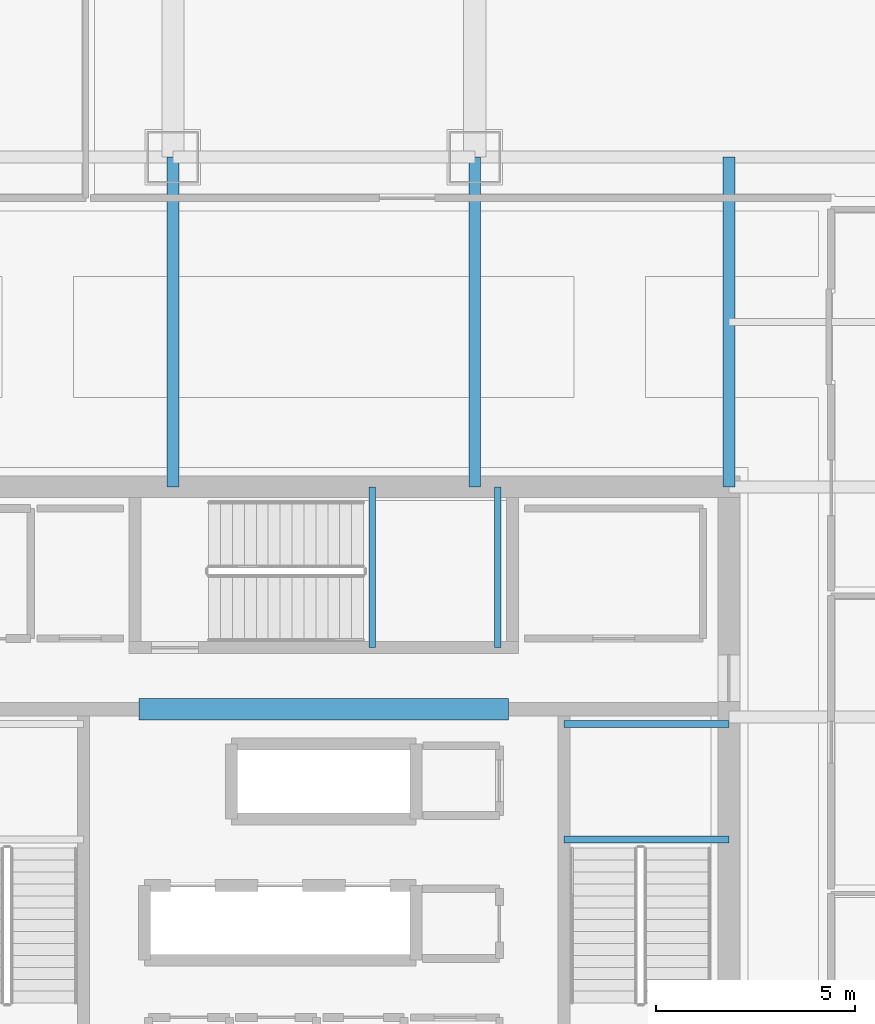
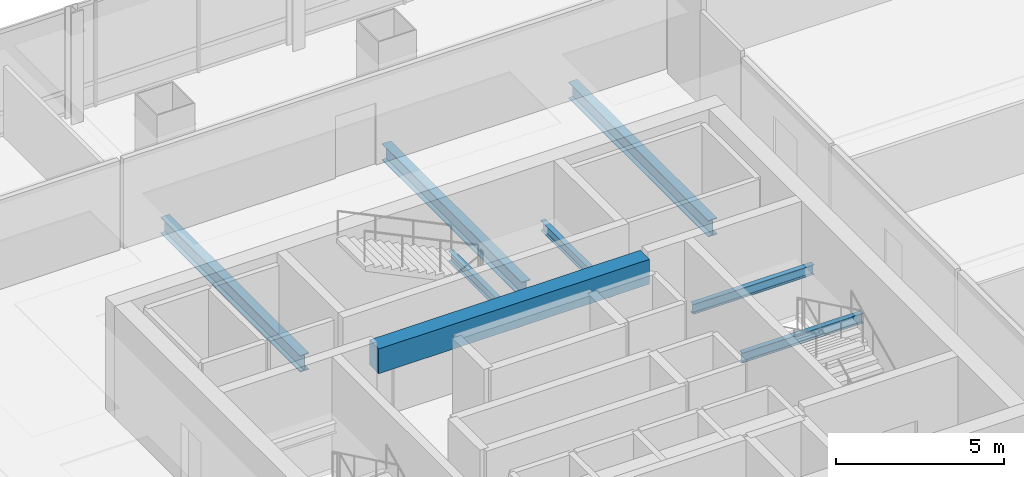
# One storey, part 13 of 42: 8 beams.
"""IFC4 building model written with IfcOpenShell, lengths in metres."""

from ifc_helpers import new_model, si_unit, direction, frame, origin, origin_2d, place, context, subcontext, project, spatial, rectangle, i_section, extrude, material, material_profile, profile_set, type_object, element, save


model = new_model("IFC4")

# Units and contexts
model_context = context("Model", 3, precision=1e-05, world=origin(), true_north=direction((0.0, 1.0)))
body_context = subcontext(model_context, "Body", "Model", "MODEL_VIEW")
ifc_project = project(units=[si_unit("LENGTHUNIT", "METRE"), si_unit("AREAUNIT", "SQUARE_METRE"), si_unit("VOLUMEUNIT", "CUBIC_METRE"), si_unit("PLANEANGLEUNIT", "RADIAN"), si_unit("MASSUNIT", "GRAM", prefix="KILO")], contexts=[model_context])

# Site, building, storey
site_placement = place(None, origin())
site = spatial("IfcSite", under=ifc_project, at=site_placement, CompositionType="ELEMENT")
building_placement = place(site_placement, origin())
building = spatial("IfcBuilding", under=site, at=building_placement, Name="Punatoya Terracotta Tower", CompositionType="ELEMENT")
storey_placement = place(building_placement, frame((0.0, 0.0, 255.449951171875)))
storey = spatial("IfcBuildingStorey", under=building, at=storey_placement, Name="L60", CompositionType="ELEMENT", Elevation=255.449951171875)

# Beams
ifc_material_1 = material(Name="Steel S355", Category="steel")
ifc_material_profile_1 = material_profile(ifc_material_1, i_section(OverallWidth=0.300048828125, OverallDepth=0.60009765625, WebThickness=0.015380859375, FlangeThickness=0.030029296875, FilletRadius=0.01806640625, at=origin_2d()))
ifc_profile_set_1 = profile_set([ifc_material_profile_1], Name="Steel S355")
beam_type_1 = type_object("IfcBeamType", Name="BM-PRI-600", PredefinedType="BEAM", material=ifc_profile_set_1)
for number, where, z_axis, x_axis, name in (
    (1, (-3.800048828125, 9.199951171875, -0.5), (0.0, 1.0, 0.0), (-1.0, 0.0, 0.0), "BM-L60-PR-N2"),
    (2, (3.800048828125, 9.199951171875, -0.5), (0.0, 1.0, 0.0), (-1.0, 0.0, 0.0), "BM-L60-PR-N3"),
    (3, (10.199951171875, 9.199951171875, -0.5), (0.0, 1.0, 0.0), (-1.0, 0.0, 0.0), "BM-L60-PR-N4"),
):
    element("IfcBeam", number, at=place(storey_placement, frame(where, z_axis=z_axis, x_axis=x_axis)), inside=storey, type_object=beam_type_1, Name=name, PredefinedType="BEAM", context=body_context, shape_type="SweptSolid", body=[
        extrude(i_section(OverallWidth=0.300048828125, OverallDepth=0.60009765625, WebThickness=0.015380859375, FlangeThickness=0.030029296875, FilletRadius=0.01806640625, at=origin_2d()), origin(), (0.0, 0.0, 1.0), 8.300048828125),
    ])
ifc_material_2 = material(Name="Concrete C50/60", Category="concrete")
ifc_material_profile_2 = material_profile(ifc_material_2, rectangle(XDim=0.550048828125, YDim=0.89990234375, at=origin_2d()))
ifc_profile_set_2 = profile_set([ifc_material_profile_2], Name="Concrete C50/60")
beam_type_2 = type_object("IfcBeamType", Name="BM-RC-900", PredefinedType="LINTEL", material=ifc_profile_set_2)
beam_placement = place(storey_placement, frame((-4.64990234375, 3.60009765625, 3.400146484375), z_axis=(1.0, 0.0, 0.0), x_axis=(0.0, 1.0, 0.0)))
element("IfcBeam", 4, at=beam_placement, inside=storey, type_object=beam_type_2, Name="L60 Core Coupling Lintel CNW", PredefinedType="LINTEL", context=body_context, shape_type="SweptSolid", body=[
    extrude(rectangle(XDim=0.550048828125, YDim=0.89990234375, at=origin_2d()), origin(), (0.0, 0.0, 1.0), 9.2998046875),
])
ifc_material_profile_3 = material_profile(ifc_material_1, i_section(OverallWidth=0.169921875, OverallDepth=0.360107421875, WebThickness=0.008056640625, FlangeThickness=0.0126953125, FilletRadius=0.01806640625, at=origin_2d()))
ifc_profile_set_3 = profile_set([ifc_material_profile_3], Name="Steel S355")
beam_type_3 = type_object("IfcBeamType", Name="BM-SEC-360", PredefinedType="JOIST", material=ifc_profile_set_3)
for number, where, z_axis, x_axis, name in (
    (5, (6.050048828125, 0.320068359375, 1.64501953125), (1.0, 0.0, 0.0), (0.0, 1.0, 0.0), "BM-L60-ST-2-LD1A"),
    (6, (6.050048828125, 3.22998046875, 1.64501953125), (1.0, 0.0, 0.0), (0.0, 1.0, 0.0), "BM-L60-ST-2-LD1B"),
):
    element("IfcBeam", number, at=place(storey_placement, frame(where, z_axis=z_axis, x_axis=x_axis)), inside=storey, type_object=beam_type_3, Name=name, PredefinedType="JOIST", context=body_context, shape_type="SweptSolid", body=[
        extrude(i_section(OverallWidth=0.169921875, OverallDepth=0.360107421875, WebThickness=0.008056640625, FlangeThickness=0.0126953125, FilletRadius=0.01806640625, at=origin_2d()), origin(), (0.0, 0.0, 1.0), 4.14990234375),
    ])
for number, where, z_axis, x_axis, name in (
    (7, (1.219970703125, 5.14990234375, 1.64501953125), (0.0, 1.0, 0.0), (-1.0, 0.0, 0.0), "BM-L60-ST-3-LD1A"),
    (8, (4.3798828125, 5.14990234375, 1.64501953125), (0.0, 1.0, 0.0), (-1.0, 0.0, 0.0), "BM-L60-ST-3-LD1B"),
):
    element("IfcBeam", number, at=place(storey_placement, frame(where, z_axis=z_axis, x_axis=x_axis)), inside=storey, type_object=beam_type_3, Name=name, PredefinedType="JOIST", context=body_context, shape_type="SweptSolid", body=[
        extrude(i_section(OverallWidth=0.169921875, OverallDepth=0.360107421875, WebThickness=0.008056640625, FlangeThickness=0.0126953125, FilletRadius=0.01806640625, at=origin_2d()), origin(), (0.0, 0.0, 1.0), 4.050048828125),
    ])

save(model, "model.ifc")
